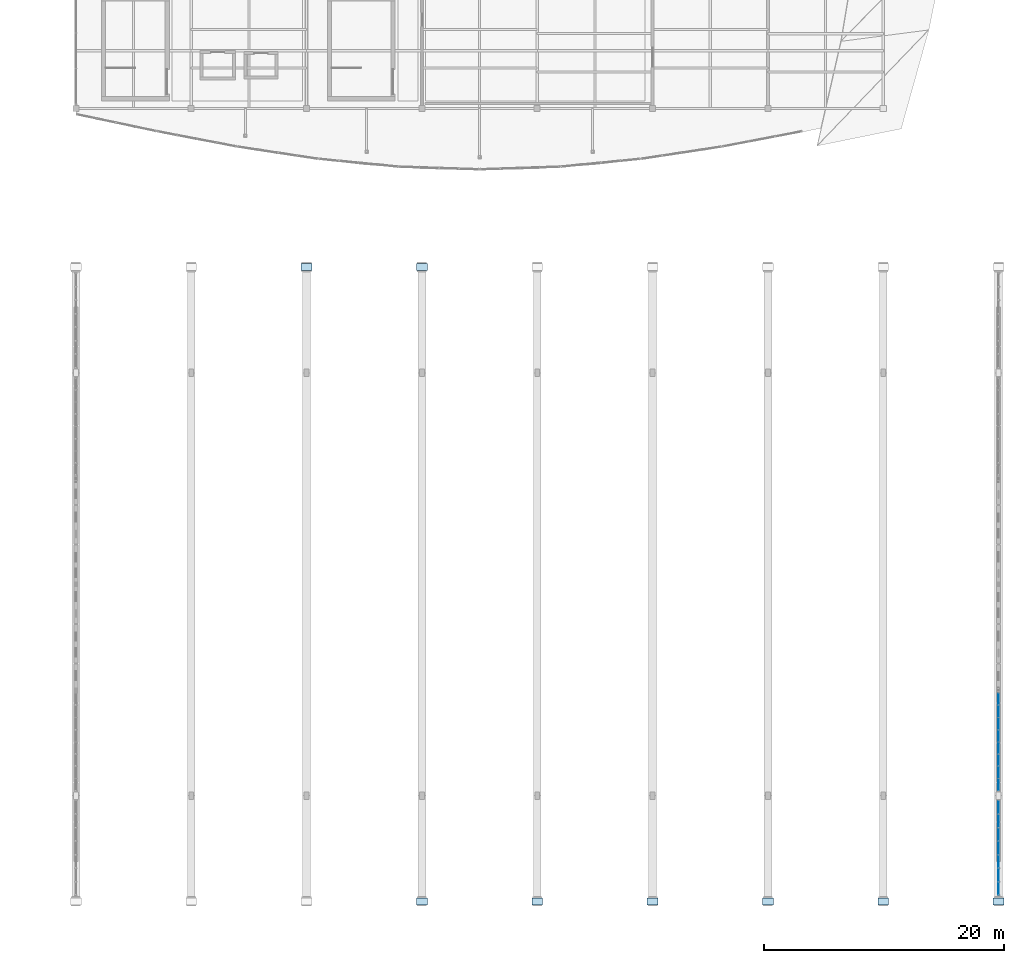
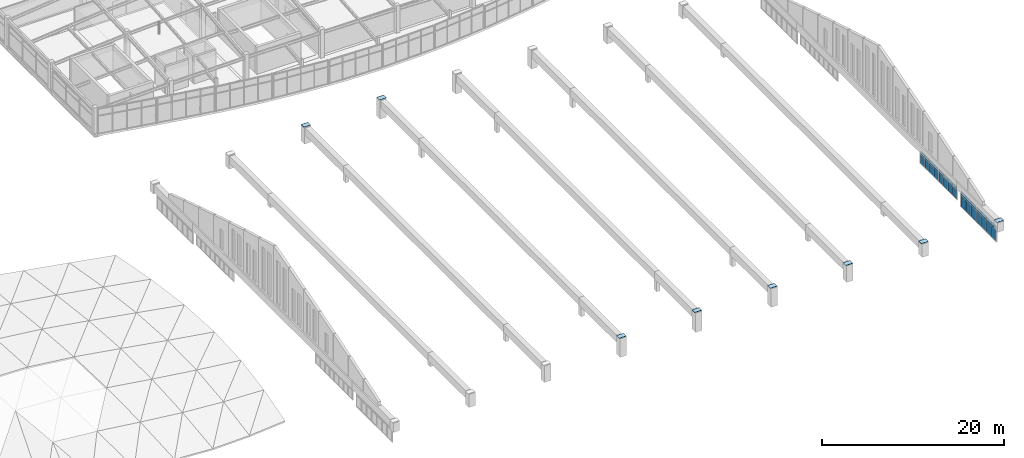
# One storey, part 53 of 65: 38 plates, 2 elements without a shape of their own.
"""IFC4 building model written with IfcOpenShell, lengths in metres."""

from ifc_helpers import new_model, si_unit, direction, frame, origin, origin_2d, place, context, subcontext, project, spatial, rectangle, extrude, material, layer, layer_set, type_object, element, aggregate, save


model = new_model("IFC4")

# Units and contexts
model_context = context("Model", 3, precision=1e-05, world=origin(), true_north=direction((0.0, 1.0)))
body_context = subcontext(model_context, "Body", "Model", "MODEL_VIEW")
ifc_project = project(units=[si_unit("LENGTHUNIT", "METRE"), si_unit("AREAUNIT", "SQUARE_METRE"), si_unit("VOLUMEUNIT", "CUBIC_METRE"), si_unit("PLANEANGLEUNIT", "RADIAN"), si_unit("MASSUNIT", "GRAM", prefix="KILO")], contexts=[model_context])

# Site, building, storey
site_placement = place(None, origin())
site = spatial("IfcSite", under=ifc_project, at=site_placement, CompositionType="ELEMENT")
building_placement = place(site_placement, origin())
building = spatial("IfcBuilding", under=site, at=building_placement, Name="Chalmorin Arch Market", CompositionType="ELEMENT")
storey_placement = place(building_placement, frame((0.0, 0.0, 14.10009765625)))
storey = spatial("IfcBuildingStorey", under=building, at=storey_placement, Name="L03", CompositionType="ELEMENT", Elevation=14.10009765625)

# Plates
ifc_material_1 = material(Name="Steel A572 Grade 50", Category="steel")
ifc_layer_1 = layer(ifc_material_1, 0.035888671875)
ifc_layer_set_1 = layer_set([ifc_layer_1], Name="Steel A572 Grade 50")
plate_type_1 = type_object("IfcPlateType", Name="ArchSpringBasePlate-900x600x36", PredefinedType="SHEET", material=ifc_layer_set_1)
for number, where, z_axis, x_axis, name in (
    (1, (67.199951171875, 58.800048828125, 2.20458984375), (0.0, 0.0, 1.0), (1.0, 0.0, 0.0), "GP-02-034"),
    (2, (76.800048828125, 6.0, 2.4970703125), (0.0, 0.0, 1.0), (1.0, 0.0, 0.0), "GP-02-035"),
    (3, (76.800048828125, 58.800048828125, 2.4970703125), (0.0, 0.0, 1.0), (1.0, 0.0, 0.0), "GP-02-036"),
    (4, (86.39990234375, 6.0, 2.60009765625), (0.0, 0.0, 1.0), (1.0, 0.0, 0.0), "GP-02-037"),
    (5, (96.0, 6.0, 2.4970703125), (0.0, 0.0, 1.0), (1.0, 0.0, 0.0), "GP-02-039"),
    (6, (105.60009765625, 6.0, 2.20458984375), (0.0, 0.0, 1.0), (1.0, 0.0, 0.0), "GP-02-041"),
    (7, (115.199951171875, 6.0, 1.7666015625), (0.0, 0.0, 1.0), (1.0, 0.0, 0.0), "GP-02-043"),
    (8, (124.800048828125, 6.0, 1.25), (0.0, 0.0, 1.0), (1.0, 0.0, 0.0), "GP-02-045"),
):
    element("IfcPlate", number, at=place(storey_placement, frame(where, z_axis=z_axis, x_axis=x_axis)), inside=storey, type_object=plate_type_1, Name=name, PredefinedType="SHEET", context=body_context, shape_type="SweptSolid", body=[
        extrude(rectangle(XDim=0.89990234375, YDim=0.60009765625, at=origin_2d()), origin(), (0.0, 0.0, 1.0), 0.035888671875),
    ])

# Curtain wall, plates
ifc_material_2 = material(Name="Aluminium 6063-T6", Category="aluminium")
ifc_layer_2 = layer(ifc_material_2, 0.159912109375)
ifc_layer_set_2 = layer_set([ifc_layer_2], Name="Aluminium 6063-T6")
curtain_wall_type_1 = type_object("IfcCurtainWallType", Name="GableTympanumCurtainWall-CW4-7880x2180", PredefinedType="NOTDEFINED", material=ifc_layer_set_2)
curtain_wall_1_placement = place(storey_placement, origin())
curtain_wall_1 = element("IfcCurtainWall", 9, at=curtain_wall_1_placement, inside=storey, type_object=curtain_wall_type_1, Name="CW-04-037", PredefinedType="NOTDEFINED")
ifc_material_3 = material(Name="Powder-coated Aluminium Panel", Category="aluminium")
ifc_layer_3 = layer(ifc_material_3, 0.0400390625)
ifc_layer_set_3 = layer_set([ifc_layer_3], Name="Powder-coated Aluminium Panel")
plate_type_2 = type_object("IfcPlateType", Name="ShadowboxSpandrelPanel-40", PredefinedType="CURTAIN_PANEL", material=ifc_layer_set_3)
plate_1_placement = place(storey_placement, frame((124.800048828125, 7.072998046875, -0.3818359375), z_axis=(0.0, 0.0, 1.0), x_axis=(0.0, 1.0, 0.0)))
plate_1 = element("IfcPlate", 10, at=plate_1_placement, type_object=plate_type_2, Name="SP-40-037-01B", PredefinedType="CURTAIN_PANEL", context=body_context, shape_type="SweptSolid", body=[
    extrude(rectangle(XDim=1.045654296875, YDim=0.0400390625, at=origin_2d()), origin(), (0.0, 0.0, 1.0), 0.496826171875),
])
plate_2_placement = place(storey_placement, frame((124.800048828125, 8.198486328125, -0.3818359375), z_axis=(0.0, 0.0, 1.0), x_axis=(0.0, 1.0, 0.0)))
plate_2 = element("IfcPlate", 11, at=plate_2_placement, type_object=plate_type_2, Name="SP-40-037-02B", PredefinedType="CURTAIN_PANEL", context=body_context, shape_type="SweptSolid", body=[
    extrude(rectangle(XDim=1.045654296875, YDim=0.0400390625, at=origin_2d()), origin(), (0.0, 0.0, 1.0), 0.496826171875),
])
plate_3_placement = place(storey_placement, frame((124.800048828125, 9.32421875, -0.3818359375), z_axis=(0.0, 0.0, 1.0), x_axis=(0.0, 1.0, 0.0)))
plate_3 = element("IfcPlate", 12, at=plate_3_placement, type_object=plate_type_2, Name="SP-40-037-03B", PredefinedType="CURTAIN_PANEL", context=body_context, shape_type="SweptSolid", body=[
    extrude(rectangle(XDim=1.045654296875, YDim=0.0400390625, at=origin_2d()), origin(), (0.0, 0.0, 1.0), 0.496826171875),
])
plate_4_placement = place(storey_placement, frame((124.800048828125, 10.449951171875, -0.3818359375), z_axis=(0.0, 0.0, 1.0), x_axis=(0.0, 1.0, 0.0)))
plate_4 = element("IfcPlate", 13, at=plate_4_placement, type_object=plate_type_2, Name="SP-40-037-04B", PredefinedType="CURTAIN_PANEL", context=body_context, shape_type="SweptSolid", body=[
    extrude(rectangle(XDim=1.045654296875, YDim=0.0400390625, at=origin_2d()), origin(), (0.0, 0.0, 1.0), 0.496826171875),
])
plate_5_placement = place(storey_placement, frame((124.800048828125, 11.57568359375, -0.3818359375), z_axis=(0.0, 0.0, 1.0), x_axis=(0.0, 1.0, 0.0)))
plate_5 = element("IfcPlate", 14, at=plate_5_placement, type_object=plate_type_2, Name="SP-40-037-05B", PredefinedType="CURTAIN_PANEL", context=body_context, shape_type="SweptSolid", body=[
    extrude(rectangle(XDim=1.045654296875, YDim=0.0400390625, at=origin_2d()), origin(), (0.0, 0.0, 1.0), 0.496826171875),
])
plate_6_placement = place(storey_placement, frame((124.800048828125, 12.701416015625, -0.3818359375), z_axis=(0.0, 0.0, 1.0), x_axis=(0.0, 1.0, 0.0)))
plate_6 = element("IfcPlate", 15, at=plate_6_placement, type_object=plate_type_2, Name="SP-40-037-06B", PredefinedType="CURTAIN_PANEL", context=body_context, shape_type="SweptSolid", body=[
    extrude(rectangle(XDim=1.045654296875, YDim=0.0400390625, at=origin_2d()), origin(), (0.0, 0.0, 1.0), 0.496826171875),
])
plate_7_placement = place(storey_placement, frame((124.800048828125, 13.8271484375, -0.3818359375), z_axis=(0.0, 0.0, 1.0), x_axis=(0.0, 1.0, 0.0)))
plate_7 = element("IfcPlate", 16, at=plate_7_placement, type_object=plate_type_2, Name="SP-40-037-07B", PredefinedType="CURTAIN_PANEL", context=body_context, shape_type="SweptSolid", body=[
    extrude(rectangle(XDim=1.045654296875, YDim=0.0400390625, at=origin_2d()), origin(), (0.0, 0.0, 1.0), 0.496826171875),
])

ifc_layer_4 = layer(ifc_material_2, 0.159912109375)
ifc_layer_set_4 = layer_set([ifc_layer_4], Name="Aluminium 6063-T6")
curtain_wall_type_2 = type_object("IfcCurtainWallType", Name="GableTympanumCurtainWall-CW4-8130x1780", PredefinedType="NOTDEFINED", material=ifc_layer_set_4)
curtain_wall_2_placement = place(storey_placement, origin())
curtain_wall_2 = element("IfcCurtainWall", 17, at=curtain_wall_2_placement, inside=storey, type_object=curtain_wall_type_2, Name="CW-04-039", PredefinedType="NOTDEFINED")
plate_8_placement = place(storey_placement, frame((124.800048828125, 15.718017578125, -0.269775390625), z_axis=(0.0, 0.0, 1.0), x_axis=(0.0, 1.0, 0.0)))
plate_8 = element("IfcPlate", 18, at=plate_8_placement, type_object=plate_type_2, Name="SP-40-039-01B", PredefinedType="CURTAIN_PANEL", context=body_context, shape_type="SweptSolid", body=[
    extrude(rectangle(XDim=0.935791015625, YDim=0.0400390625, at=origin_2d()), origin(), (0.0, 0.0, 1.0), 0.384765625),
])
plate_9_placement = place(storey_placement, frame((124.800048828125, 16.73388671875, -0.269775390625), z_axis=(0.0, 0.0, 1.0), x_axis=(0.0, 1.0, 0.0)))
plate_9 = element("IfcPlate", 19, at=plate_9_placement, type_object=plate_type_2, Name="SP-40-039-02B", PredefinedType="CURTAIN_PANEL", context=body_context, shape_type="SweptSolid", body=[
    extrude(rectangle(XDim=0.935791015625, YDim=0.0400390625, at=origin_2d()), origin(), (0.0, 0.0, 1.0), 0.384765625),
])
plate_10_placement = place(storey_placement, frame((124.800048828125, 17.75, -0.269775390625), z_axis=(0.0, 0.0, 1.0), x_axis=(0.0, 1.0, 0.0)))
plate_10 = element("IfcPlate", 20, at=plate_10_placement, type_object=plate_type_2, Name="SP-40-039-03B", PredefinedType="CURTAIN_PANEL", context=body_context, shape_type="SweptSolid", body=[
    extrude(rectangle(XDim=0.935791015625, YDim=0.0400390625, at=origin_2d()), origin(), (0.0, 0.0, 1.0), 0.384765625),
])
plate_11_placement = place(storey_placement, frame((124.800048828125, 18.765869140625, -0.269775390625), z_axis=(0.0, 0.0, 1.0), x_axis=(0.0, 1.0, 0.0)))
plate_11 = element("IfcPlate", 21, at=plate_11_placement, type_object=plate_type_2, Name="SP-40-039-04B", PredefinedType="CURTAIN_PANEL", context=body_context, shape_type="SweptSolid", body=[
    extrude(rectangle(XDim=0.935791015625, YDim=0.0400390625, at=origin_2d()), origin(), (0.0, 0.0, 1.0), 0.384765625),
])
plate_12_placement = place(storey_placement, frame((124.800048828125, 19.78173828125, -0.269775390625), z_axis=(0.0, 0.0, 1.0), x_axis=(0.0, 1.0, 0.0)))
plate_12 = element("IfcPlate", 22, at=plate_12_placement, type_object=plate_type_2, Name="SP-40-039-05B", PredefinedType="CURTAIN_PANEL", context=body_context, shape_type="SweptSolid", body=[
    extrude(rectangle(XDim=0.935791015625, YDim=0.0400390625, at=origin_2d()), origin(), (0.0, 0.0, 1.0), 0.384765625),
])
plate_13_placement = place(storey_placement, frame((124.800048828125, 20.797607421875, -0.269775390625), z_axis=(0.0, 0.0, 1.0), x_axis=(0.0, 1.0, 0.0)))
plate_13 = element("IfcPlate", 23, at=plate_13_placement, type_object=plate_type_2, Name="SP-40-039-06B", PredefinedType="CURTAIN_PANEL", context=body_context, shape_type="SweptSolid", body=[
    extrude(rectangle(XDim=0.935791015625, YDim=0.0400390625, at=origin_2d()), origin(), (0.0, 0.0, 1.0), 0.384765625),
])
plate_14_placement = place(storey_placement, frame((124.800048828125, 21.813720703125, -0.269775390625), z_axis=(0.0, 0.0, 1.0), x_axis=(0.0, 1.0, 0.0)))
plate_14 = element("IfcPlate", 24, at=plate_14_placement, type_object=plate_type_2, Name="SP-40-039-07B", PredefinedType="CURTAIN_PANEL", context=body_context, shape_type="SweptSolid", body=[
    extrude(rectangle(XDim=0.935791015625, YDim=0.0400390625, at=origin_2d()), origin(), (0.0, 0.0, 1.0), 0.384765625),
])
plate_15_placement = place(storey_placement, frame((124.800048828125, 22.82958984375, -0.269775390625), z_axis=(0.0, 0.0, 1.0), x_axis=(0.0, 1.0, 0.0)))
plate_15 = element("IfcPlate", 25, at=plate_15_placement, type_object=plate_type_2, Name="SP-40-039-08B", PredefinedType="CURTAIN_PANEL", context=body_context, shape_type="SweptSolid", body=[
    extrude(rectangle(XDim=0.935791015625, YDim=0.0400390625, at=origin_2d()), origin(), (0.0, 0.0, 1.0), 0.384765625),
])

# Plate
ifc_material_4 = material(Name="Laminated Acoustic Glass", Category="glass")
ifc_layer_5 = layer(ifc_material_4, 0.031982421875)
ifc_layer_set_5 = layer_set([ifc_layer_5], Name="Laminated Acoustic Glass")
plate_type_3 = type_object("IfcPlateType", Name="TintedClerestoryGlass-32", PredefinedType="CURTAIN_PANEL", material=ifc_layer_set_5)
plate_16_placement = place(storey_placement, frame((124.800048828125, 7.072998046875, -1.93017578125), z_axis=(0.0, 0.0, 1.0), x_axis=(0.0, 1.0, 0.0)))
plate_16 = element("IfcPlate", 26, at=plate_16_placement, type_object=plate_type_3, Name="GL-32-037-01A", PredefinedType="CURTAIN_PANEL", context=body_context, shape_type="SweptSolid", body=[
    extrude(rectangle(XDim=1.045654296875, YDim=0.031982421875, at=origin_2d()), origin(), (0.0, 0.0, 1.0), 1.458251953125),
])

plate_17_placement = place(storey_placement, frame((124.800048828125, 8.198486328125, -1.93017578125), z_axis=(0.0, 0.0, 1.0), x_axis=(0.0, 1.0, 0.0)))
plate_17 = element("IfcPlate", 27, at=plate_17_placement, type_object=plate_type_3, Name="GL-32-037-02A", PredefinedType="CURTAIN_PANEL", context=body_context, shape_type="SweptSolid", body=[
    extrude(rectangle(XDim=1.045654296875, YDim=0.031982421875, at=origin_2d()), origin(), (0.0, 0.0, 1.0), 1.458251953125),
])

plate_18_placement = place(storey_placement, frame((124.800048828125, 9.32421875, -1.93017578125), z_axis=(0.0, 0.0, 1.0), x_axis=(0.0, 1.0, 0.0)))
plate_18 = element("IfcPlate", 28, at=plate_18_placement, type_object=plate_type_3, Name="GL-32-037-03A", PredefinedType="CURTAIN_PANEL", context=body_context, shape_type="SweptSolid", body=[
    extrude(rectangle(XDim=1.045654296875, YDim=0.031982421875, at=origin_2d()), origin(), (0.0, 0.0, 1.0), 1.458251953125),
])

plate_19_placement = place(storey_placement, frame((124.800048828125, 10.449951171875, -1.93017578125), z_axis=(0.0, 0.0, 1.0), x_axis=(0.0, 1.0, 0.0)))
plate_19 = element("IfcPlate", 29, at=plate_19_placement, type_object=plate_type_3, Name="GL-32-037-04A", PredefinedType="CURTAIN_PANEL", context=body_context, shape_type="SweptSolid", body=[
    extrude(rectangle(XDim=1.045654296875, YDim=0.031982421875, at=origin_2d()), origin(), (0.0, 0.0, 1.0), 1.458251953125),
])

plate_20_placement = place(storey_placement, frame((124.800048828125, 11.57568359375, -1.93017578125), z_axis=(0.0, 0.0, 1.0), x_axis=(0.0, 1.0, 0.0)))
plate_20 = element("IfcPlate", 30, at=plate_20_placement, type_object=plate_type_3, Name="GL-32-037-05A", PredefinedType="CURTAIN_PANEL", context=body_context, shape_type="SweptSolid", body=[
    extrude(rectangle(XDim=1.045654296875, YDim=0.031982421875, at=origin_2d()), origin(), (0.0, 0.0, 1.0), 1.458251953125),
])

plate_21_placement = place(storey_placement, frame((124.800048828125, 12.701416015625, -1.93017578125), z_axis=(0.0, 0.0, 1.0), x_axis=(0.0, 1.0, 0.0)))
plate_21 = element("IfcPlate", 31, at=plate_21_placement, type_object=plate_type_3, Name="GL-32-037-06A", PredefinedType="CURTAIN_PANEL", context=body_context, shape_type="SweptSolid", body=[
    extrude(rectangle(XDim=1.045654296875, YDim=0.031982421875, at=origin_2d()), origin(), (0.0, 0.0, 1.0), 1.458251953125),
])

plate_22_placement = place(storey_placement, frame((124.800048828125, 13.8271484375, -1.93017578125), z_axis=(0.0, 0.0, 1.0), x_axis=(0.0, 1.0, 0.0)))
plate_22 = element("IfcPlate", 32, at=plate_22_placement, type_object=plate_type_3, Name="GL-32-037-07A", PredefinedType="CURTAIN_PANEL", context=body_context, shape_type="SweptSolid", body=[
    extrude(rectangle(XDim=1.045654296875, YDim=0.031982421875, at=origin_2d()), origin(), (0.0, 0.0, 1.0), 1.458251953125),
])

aggregate(curtain_wall_1, [plate_16, plate_1, plate_17, plate_2, plate_18, plate_3, plate_19, plate_4, plate_20, plate_5, plate_21, plate_6, plate_22, plate_7])

plate_23_placement = place(storey_placement, frame((124.800048828125, 15.718017578125, -1.5302734375), z_axis=(0.0, 0.0, 1.0), x_axis=(0.0, 1.0, 0.0)))
plate_23 = element("IfcPlate", 33, at=plate_23_placement, type_object=plate_type_3, Name="GL-32-039-01A", PredefinedType="CURTAIN_PANEL", context=body_context, shape_type="SweptSolid", body=[
    extrude(rectangle(XDim=0.935791015625, YDim=0.031982421875, at=origin_2d()), origin(), (0.0, 0.0, 1.0), 1.170166015625),
])

plate_24_placement = place(storey_placement, frame((124.800048828125, 16.73388671875, -1.5302734375), z_axis=(0.0, 0.0, 1.0), x_axis=(0.0, 1.0, 0.0)))
plate_24 = element("IfcPlate", 34, at=plate_24_placement, type_object=plate_type_3, Name="GL-32-039-02A", PredefinedType="CURTAIN_PANEL", context=body_context, shape_type="SweptSolid", body=[
    extrude(rectangle(XDim=0.935791015625, YDim=0.031982421875, at=origin_2d()), origin(), (0.0, 0.0, 1.0), 1.170166015625),
])

plate_25_placement = place(storey_placement, frame((124.800048828125, 17.75, -1.5302734375), z_axis=(0.0, 0.0, 1.0), x_axis=(0.0, 1.0, 0.0)))
plate_25 = element("IfcPlate", 35, at=plate_25_placement, type_object=plate_type_3, Name="GL-32-039-03A", PredefinedType="CURTAIN_PANEL", context=body_context, shape_type="SweptSolid", body=[
    extrude(rectangle(XDim=0.935791015625, YDim=0.031982421875, at=origin_2d()), origin(), (0.0, 0.0, 1.0), 1.170166015625),
])

plate_26_placement = place(storey_placement, frame((124.800048828125, 18.765869140625, -1.5302734375), z_axis=(0.0, 0.0, 1.0), x_axis=(0.0, 1.0, 0.0)))
plate_26 = element("IfcPlate", 36, at=plate_26_placement, type_object=plate_type_3, Name="GL-32-039-04A", PredefinedType="CURTAIN_PANEL", context=body_context, shape_type="SweptSolid", body=[
    extrude(rectangle(XDim=0.935791015625, YDim=0.031982421875, at=origin_2d()), origin(), (0.0, 0.0, 1.0), 1.170166015625),
])

plate_27_placement = place(storey_placement, frame((124.800048828125, 19.78173828125, -1.5302734375), z_axis=(0.0, 0.0, 1.0), x_axis=(0.0, 1.0, 0.0)))
plate_27 = element("IfcPlate", 37, at=plate_27_placement, type_object=plate_type_3, Name="GL-32-039-05A", PredefinedType="CURTAIN_PANEL", context=body_context, shape_type="SweptSolid", body=[
    extrude(rectangle(XDim=0.935791015625, YDim=0.031982421875, at=origin_2d()), origin(), (0.0, 0.0, 1.0), 1.170166015625),
])

plate_28_placement = place(storey_placement, frame((124.800048828125, 20.797607421875, -1.5302734375), z_axis=(0.0, 0.0, 1.0), x_axis=(0.0, 1.0, 0.0)))
plate_28 = element("IfcPlate", 38, at=plate_28_placement, type_object=plate_type_3, Name="GL-32-039-06A", PredefinedType="CURTAIN_PANEL", context=body_context, shape_type="SweptSolid", body=[
    extrude(rectangle(XDim=0.935791015625, YDim=0.031982421875, at=origin_2d()), origin(), (0.0, 0.0, 1.0), 1.170166015625),
])

plate_29_placement = place(storey_placement, frame((124.800048828125, 21.813720703125, -1.5302734375), z_axis=(0.0, 0.0, 1.0), x_axis=(0.0, 1.0, 0.0)))
plate_29 = element("IfcPlate", 39, at=plate_29_placement, type_object=plate_type_3, Name="GL-32-039-07A", PredefinedType="CURTAIN_PANEL", context=body_context, shape_type="SweptSolid", body=[
    extrude(rectangle(XDim=0.935791015625, YDim=0.031982421875, at=origin_2d()), origin(), (0.0, 0.0, 1.0), 1.170166015625),
])

plate_30_placement = place(storey_placement, frame((124.800048828125, 22.82958984375, -1.5302734375), z_axis=(0.0, 0.0, 1.0), x_axis=(0.0, 1.0, 0.0)))
plate_30 = element("IfcPlate", 40, at=plate_30_placement, type_object=plate_type_3, Name="GL-32-039-08A", PredefinedType="CURTAIN_PANEL", context=body_context, shape_type="SweptSolid", body=[
    extrude(rectangle(XDim=0.935791015625, YDim=0.031982421875, at=origin_2d()), origin(), (0.0, 0.0, 1.0), 1.170166015625),
])

aggregate(curtain_wall_2, [plate_23, plate_8, plate_24, plate_9, plate_25, plate_10, plate_26, plate_11, plate_27, plate_12, plate_28, plate_13, plate_29, plate_14, plate_30, plate_15])

save(model, "model.ifc")
